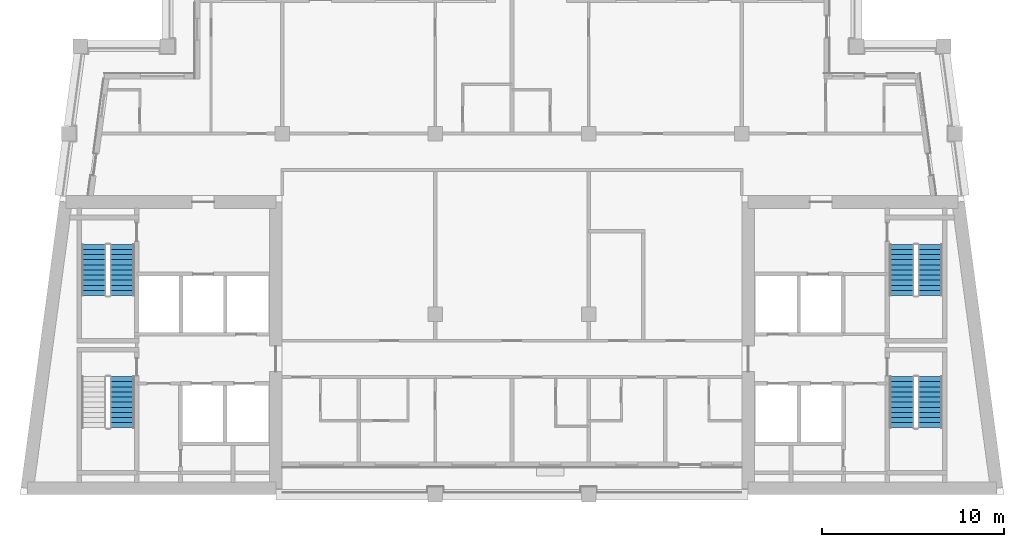
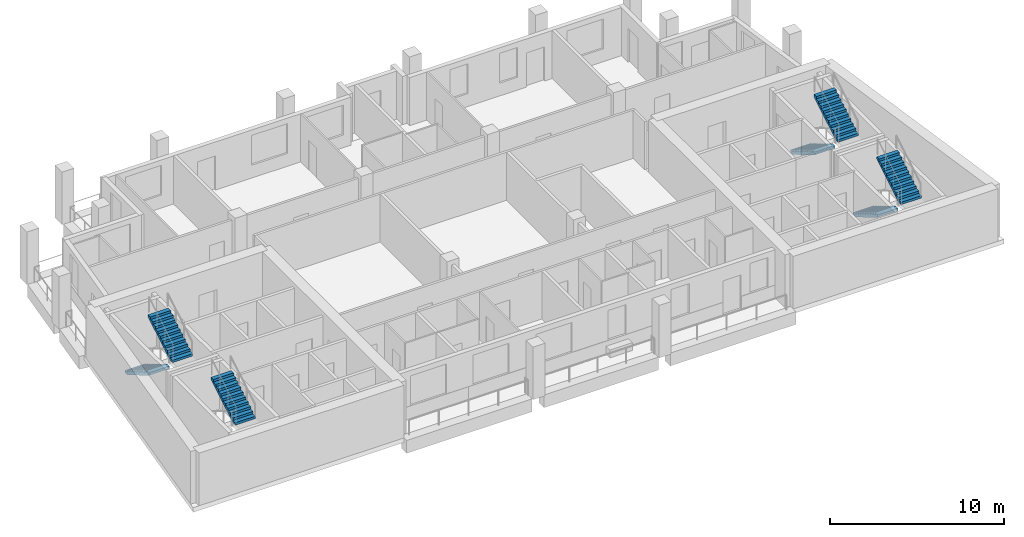
# One storey, part 6 of 10: 7 stair flights, 4 elements without a shape of their own.
"""IFC4 building model written with IfcOpenShell, lengths in metres."""

from ifc_helpers import new_model, si_unit, direction, frame, origin, place, context, subcontext, project, spatial, polyline, outline, extrude, material, type_object, element, aggregate, save


model = new_model("IFC4")

# Units and contexts
model_context = context("Model", 3, precision=1e-05, world=origin(), true_north=direction((0.0, 1.0)))
body_context = subcontext(model_context, "Body", "Model", "MODEL_VIEW")
ifc_project = project(units=[si_unit("LENGTHUNIT", "METRE"), si_unit("AREAUNIT", "SQUARE_METRE"), si_unit("VOLUMEUNIT", "CUBIC_METRE"), si_unit("PLANEANGLEUNIT", "RADIAN"), si_unit("MASSUNIT", "GRAM", prefix="KILO")], contexts=[model_context])

# Site, building, storey
site_placement = place(None, origin())
site = spatial("IfcSite", under=ifc_project, at=site_placement, CompositionType="ELEMENT")
building_placement = place(site_placement, origin())
building = spatial("IfcBuilding", under=site, at=building_placement, Name="Candeia Pilgrim Tower and Theatre", CompositionType="ELEMENT")
storey_placement = place(building_placement, frame((0.0, 0.0, 284.89990234375)))
storey = spatial("IfcBuildingStorey", under=building, at=storey_placement, Name="L69", CompositionType="ELEMENT", Elevation=284.89990234375)

# Stair, stair flight
ifc_material = material(Name="Concrete C40/50", Category="concrete")
stair_type = type_object("IfcStairType", Name="ST-TWR dog-leg escape stair", PredefinedType="HALF_TURN_STAIR", material=ifc_material)
stair_1_placement = place(storey_placement, origin())
stair_1 = element("IfcStair", 1, at=stair_1_placement, inside=storey, type_object=stair_type, Name="L69 Escape stair ST1", PredefinedType="HALF_TURN_STAIR")
stair_flight_type = type_object("IfcStairFlightType", Name="SFL-RC stair flight", PredefinedType="STRAIGHT", material=ifc_material)
stair_flight_1_placement = place(storey_placement, frame((92.027099609375, 119.675048828125, 1.85009765625), z_axis=(0.0, 0.0, 1.0), x_axis=(0.0, 1.0, 0.0)))
stair_flight_1 = element("IfcStairFlight", 2, at=stair_flight_1_placement, type_object=stair_flight_type, Name="ST1 flight 2", NumberOfRisers=11, NumberOfTreads=10, PredefinedType="STRAIGHT", RiserHeight=0.168181818, TreadLength=0.28, context=body_context, shape_type="SweptSolid", body=[
    extrude(outline(polyline([(0.0, 0.0), (0.0, 0.168212890625), (0.280029296875, 0.168212890625), (0.280029296875, 0.33642578125), (0.56005859375, 0.33642578125), (0.56005859375, 0.504638671875), (0.840087890625, 0.504638671875), (0.840087890625, 0.672607421875), (1.1201171875, 0.672607421875), (1.1201171875, 0.8408203125), (1.39990234375, 0.8408203125), (1.39990234375, 1.009033203125), (1.679931640625, 1.009033203125), (1.679931640625, 1.17724609375), (1.9599609375, 1.17724609375), (1.9599609375, 1.345458984375), (2.239990234375, 1.345458984375), (2.239990234375, 1.513671875), (2.52001953125, 1.513671875), (2.52001953125, 1.681884765625), (2.800048828125, 1.681884765625), (2.800048828125, 1.85009765625), (2.800048828125, 1.5068359375), (0.291015625, 0.0), (0.0, 0.0)])), frame((0.0, 0.675048828125, 0.0), z_axis=(0.0, -1.0, 0.0), x_axis=(1.0, 0.0, 0.0)), (0.0, 0.0, 1.0), 1.35009765625),
])
aggregate(stair_1, [stair_flight_1])

# Stair, stair flights
stair_2_placement = place(storey_placement, origin())
stair_2 = element("IfcStair", 3, at=stair_2_placement, inside=storey, type_object=stair_type, Name="L69 Escape stair ST2", PredefinedType="HALF_TURN_STAIR")
stair_flight_2_placement = place(storey_placement, frame((90.47705078125, 129.72509765625, 0.0), z_axis=(0.0, 0.0, 1.0), x_axis=(0.0, -1.0, 0.0)))
stair_flight_2 = element("IfcStairFlight", 4, at=stair_flight_2_placement, type_object=stair_flight_type, Name="ST2 flight 1", NumberOfRisers=11, NumberOfTreads=10, PredefinedType="STRAIGHT", RiserHeight=0.168181818, TreadLength=0.28, context=body_context, shape_type="SweptSolid", body=[
    extrude(outline(polyline([(0.0, 0.0), (0.0, 0.168212890625), (0.280029296875, 0.168212890625), (0.280029296875, 0.33642578125), (0.56005859375, 0.33642578125), (0.56005859375, 0.504638671875), (0.840087890625, 0.504638671875), (0.840087890625, 0.672607421875), (1.1201171875, 0.672607421875), (1.1201171875, 0.8408203125), (1.39990234375, 0.8408203125), (1.39990234375, 1.009033203125), (1.679931640625, 1.009033203125), (1.679931640625, 1.17724609375), (1.9599609375, 1.17724609375), (1.9599609375, 1.345458984375), (2.239990234375, 1.345458984375), (2.239990234375, 1.513671875), (2.52001953125, 1.513671875), (2.52001953125, 1.681884765625), (2.800048828125, 1.681884765625), (2.800048828125, 1.85009765625), (2.800048828125, 1.5068359375), (0.291015625, 0.0), (0.0, 0.0)])), frame((0.0, 0.675048828125, 0.0), z_axis=(0.0, -1.0, 0.0), x_axis=(1.0, 0.0, 0.0)), (0.0, 0.0, 1.0), 1.35009765625),
])
stair_flight_3_placement = place(storey_placement, frame((92.027099609375, 126.925048828125, 1.85009765625), z_axis=(0.0, 0.0, 1.0), x_axis=(0.0, 1.0, 0.0)))
stair_flight_3 = element("IfcStairFlight", 5, at=stair_flight_3_placement, type_object=stair_flight_type, Name="ST2 flight 2", NumberOfRisers=11, NumberOfTreads=10, PredefinedType="STRAIGHT", RiserHeight=0.168181818, TreadLength=0.28, context=body_context, shape_type="SweptSolid", body=[
    extrude(outline(polyline([(0.0, 0.0), (0.0, 0.168212890625), (0.280029296875, 0.168212890625), (0.280029296875, 0.33642578125), (0.56005859375, 0.33642578125), (0.56005859375, 0.504638671875), (0.840087890625, 0.504638671875), (0.840087890625, 0.672607421875), (1.1201171875, 0.672607421875), (1.1201171875, 0.8408203125), (1.39990234375, 0.8408203125), (1.39990234375, 1.009033203125), (1.679931640625, 1.009033203125), (1.679931640625, 1.17724609375), (1.9599609375, 1.17724609375), (1.9599609375, 1.345458984375), (2.239990234375, 1.345458984375), (2.239990234375, 1.513671875), (2.52001953125, 1.513671875), (2.52001953125, 1.681884765625), (2.800048828125, 1.681884765625), (2.800048828125, 1.85009765625), (2.800048828125, 1.5068359375), (0.291015625, 0.0), (0.0, 0.0)])), frame((0.0, 0.675048828125, 0.0), z_axis=(0.0, -1.0, 0.0), x_axis=(1.0, 0.0, 0.0)), (0.0, 0.0, 1.0), 1.35009765625),
])
aggregate(stair_2, [stair_flight_2, stair_flight_3])

stair_3_placement = place(storey_placement, origin())
stair_3 = element("IfcStair", 6, at=stair_3_placement, inside=storey, type_object=stair_type, Name="L69 Escape stair ST3", PredefinedType="HALF_TURN_STAIR")
stair_flight_4_placement = place(storey_placement, frame((134.77294921875, 122.47509765625, 0.0), z_axis=(0.0, 0.0, 1.0), x_axis=(0.0, -1.0, 0.0)))
stair_flight_4 = element("IfcStairFlight", 7, at=stair_flight_4_placement, type_object=stair_flight_type, Name="ST3 flight 1", NumberOfRisers=11, NumberOfTreads=10, PredefinedType="STRAIGHT", RiserHeight=0.168181818, TreadLength=0.28, context=body_context, shape_type="SweptSolid", body=[
    extrude(outline(polyline([(0.0, 0.0), (0.0, 0.168212890625), (0.280029296875, 0.168212890625), (0.280029296875, 0.33642578125), (0.56005859375, 0.33642578125), (0.56005859375, 0.504638671875), (0.840087890625, 0.504638671875), (0.840087890625, 0.672607421875), (1.1201171875, 0.672607421875), (1.1201171875, 0.8408203125), (1.39990234375, 0.8408203125), (1.39990234375, 1.009033203125), (1.679931640625, 1.009033203125), (1.679931640625, 1.17724609375), (1.9599609375, 1.17724609375), (1.9599609375, 1.345458984375), (2.239990234375, 1.345458984375), (2.239990234375, 1.513671875), (2.52001953125, 1.513671875), (2.52001953125, 1.681884765625), (2.800048828125, 1.681884765625), (2.800048828125, 1.85009765625), (2.800048828125, 1.5068359375), (0.291015625, 0.0), (0.0, 0.0)])), frame((0.0, 0.675048828125, 0.0), z_axis=(0.0, -1.0, 0.0), x_axis=(1.0, 0.0, 0.0)), (0.0, 0.0, 1.0), 1.35009765625),
])
stair_flight_5_placement = place(storey_placement, frame((136.322998046875, 119.675048828125, 1.85009765625), z_axis=(0.0, 0.0, 1.0), x_axis=(0.0, 1.0, 0.0)))
stair_flight_5 = element("IfcStairFlight", 8, at=stair_flight_5_placement, type_object=stair_flight_type, Name="ST3 flight 2", NumberOfRisers=11, NumberOfTreads=10, PredefinedType="STRAIGHT", RiserHeight=0.168181818, TreadLength=0.28, context=body_context, shape_type="SweptSolid", body=[
    extrude(outline(polyline([(0.0, 0.0), (0.0, 0.168212890625), (0.280029296875, 0.168212890625), (0.280029296875, 0.33642578125), (0.56005859375, 0.33642578125), (0.56005859375, 0.504638671875), (0.840087890625, 0.504638671875), (0.840087890625, 0.672607421875), (1.1201171875, 0.672607421875), (1.1201171875, 0.8408203125), (1.39990234375, 0.8408203125), (1.39990234375, 1.009033203125), (1.679931640625, 1.009033203125), (1.679931640625, 1.17724609375), (1.9599609375, 1.17724609375), (1.9599609375, 1.345458984375), (2.239990234375, 1.345458984375), (2.239990234375, 1.513671875), (2.52001953125, 1.513671875), (2.52001953125, 1.681884765625), (2.800048828125, 1.681884765625), (2.800048828125, 1.85009765625), (2.800048828125, 1.5068359375), (0.291015625, 0.0), (0.0, 0.0)])), frame((0.0, 0.675048828125, 0.0), z_axis=(0.0, -1.0, 0.0), x_axis=(1.0, 0.0, 0.0)), (0.0, 0.0, 1.0), 1.35009765625),
])
aggregate(stair_3, [stair_flight_4, stair_flight_5])

stair_4_placement = place(storey_placement, origin())
stair_4 = element("IfcStair", 9, at=stair_4_placement, inside=storey, type_object=stair_type, Name="L69 Escape stair ST4", PredefinedType="HALF_TURN_STAIR")
stair_flight_6_placement = place(storey_placement, frame((134.77294921875, 129.72509765625, 0.0), z_axis=(0.0, 0.0, 1.0), x_axis=(0.0, -1.0, 0.0)))
stair_flight_6 = element("IfcStairFlight", 10, at=stair_flight_6_placement, type_object=stair_flight_type, Name="ST4 flight 1", NumberOfRisers=11, NumberOfTreads=10, PredefinedType="STRAIGHT", RiserHeight=0.168181818, TreadLength=0.28, context=body_context, shape_type="SweptSolid", body=[
    extrude(outline(polyline([(0.0, 0.0), (0.0, 0.168212890625), (0.280029296875, 0.168212890625), (0.280029296875, 0.33642578125), (0.56005859375, 0.33642578125), (0.56005859375, 0.504638671875), (0.840087890625, 0.504638671875), (0.840087890625, 0.672607421875), (1.1201171875, 0.672607421875), (1.1201171875, 0.8408203125), (1.39990234375, 0.8408203125), (1.39990234375, 1.009033203125), (1.679931640625, 1.009033203125), (1.679931640625, 1.17724609375), (1.9599609375, 1.17724609375), (1.9599609375, 1.345458984375), (2.239990234375, 1.345458984375), (2.239990234375, 1.513671875), (2.52001953125, 1.513671875), (2.52001953125, 1.681884765625), (2.800048828125, 1.681884765625), (2.800048828125, 1.85009765625), (2.800048828125, 1.5068359375), (0.291015625, 0.0), (0.0, 0.0)])), frame((0.0, 0.675048828125, 0.0), z_axis=(0.0, -1.0, 0.0), x_axis=(1.0, 0.0, 0.0)), (0.0, 0.0, 1.0), 1.35009765625),
])
stair_flight_7_placement = place(storey_placement, frame((136.322998046875, 126.925048828125, 1.85009765625), z_axis=(0.0, 0.0, 1.0), x_axis=(0.0, 1.0, 0.0)))
stair_flight_7 = element("IfcStairFlight", 11, at=stair_flight_7_placement, type_object=stair_flight_type, Name="ST4 flight 2", NumberOfRisers=11, NumberOfTreads=10, PredefinedType="STRAIGHT", RiserHeight=0.168181818, TreadLength=0.28, context=body_context, shape_type="SweptSolid", body=[
    extrude(outline(polyline([(0.0, 0.0), (0.0, 0.168212890625), (0.280029296875, 0.168212890625), (0.280029296875, 0.33642578125), (0.56005859375, 0.33642578125), (0.56005859375, 0.504638671875), (0.840087890625, 0.504638671875), (0.840087890625, 0.672607421875), (1.1201171875, 0.672607421875), (1.1201171875, 0.8408203125), (1.39990234375, 0.8408203125), (1.39990234375, 1.009033203125), (1.679931640625, 1.009033203125), (1.679931640625, 1.17724609375), (1.9599609375, 1.17724609375), (1.9599609375, 1.345458984375), (2.239990234375, 1.345458984375), (2.239990234375, 1.513671875), (2.52001953125, 1.513671875), (2.52001953125, 1.681884765625), (2.800048828125, 1.681884765625), (2.800048828125, 1.85009765625), (2.800048828125, 1.5068359375), (0.291015625, 0.0), (0.0, 0.0)])), frame((0.0, 0.675048828125, 0.0), z_axis=(0.0, -1.0, 0.0), x_axis=(1.0, 0.0, 0.0)), (0.0, 0.0, 1.0), 1.35009765625),
])
aggregate(stair_4, [stair_flight_6, stair_flight_7])

save(model, "model.ifc")
